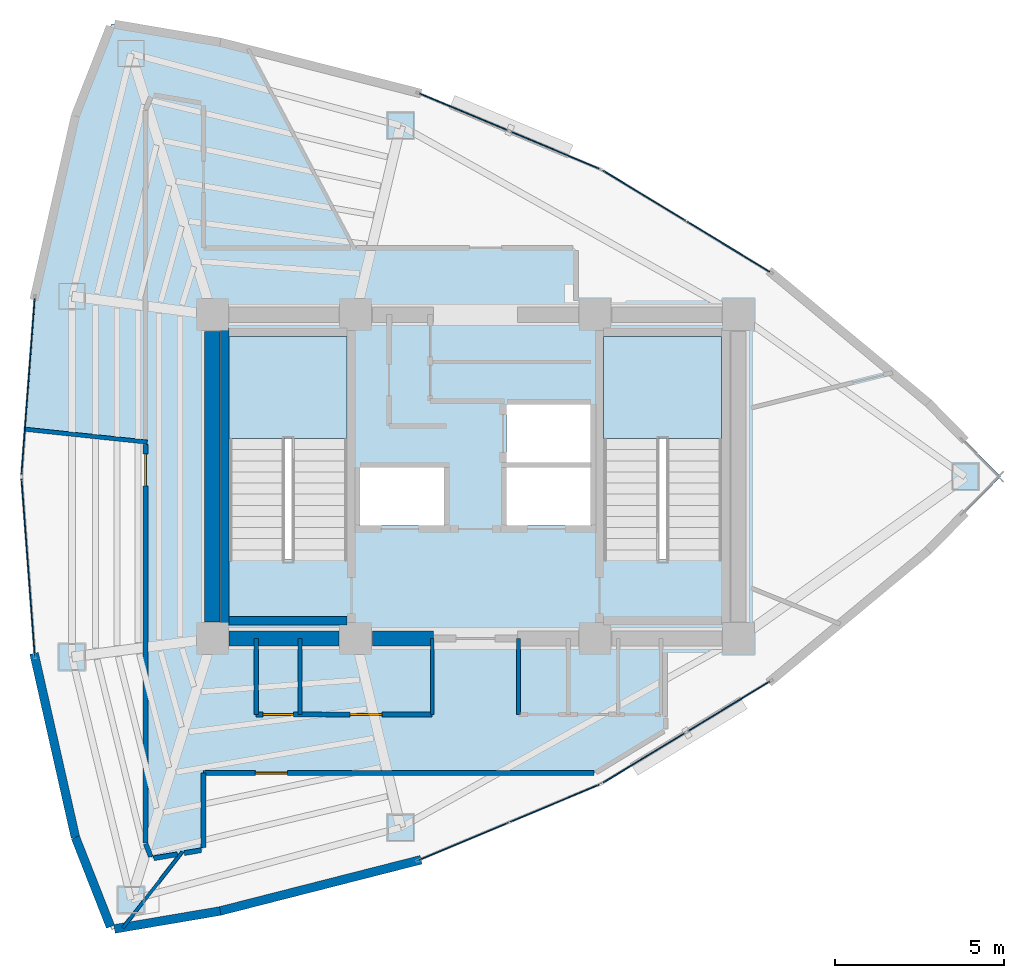
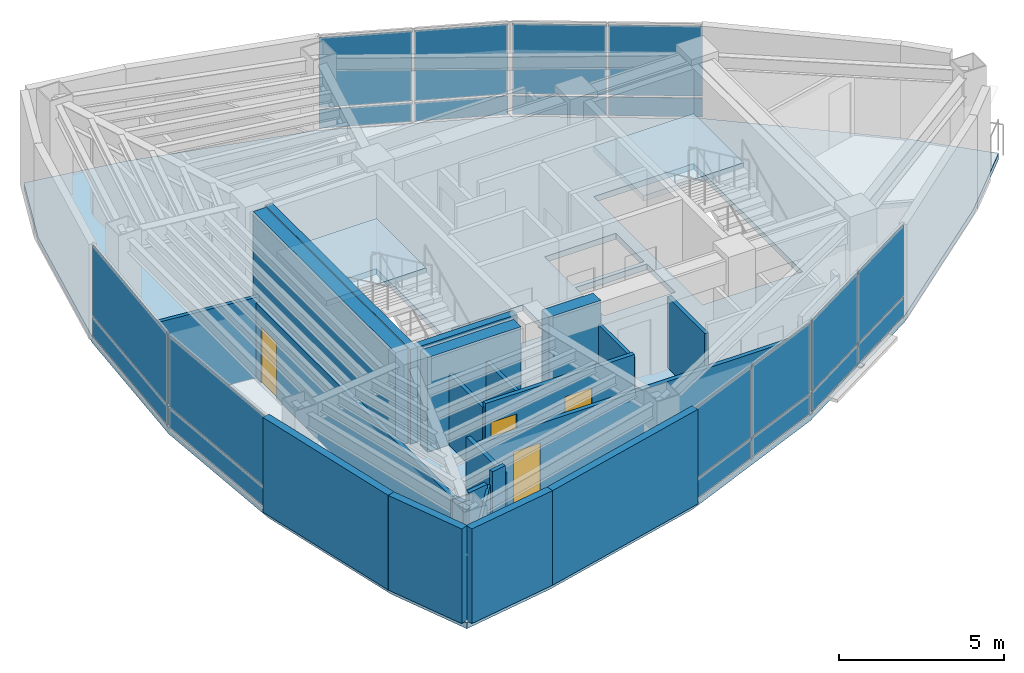
# One storey, part 11 of 15: 22 walls, 20 plates, 4 doors, 3 slabs, 4 openings, 8 elements without a shape of their own.
"""IFC4 building model written with IfcOpenShell, lengths in metres."""

from ifc_helpers import new_model, si_unit, direction, frame, frame_2d, origin, origin_2d, place, context, subcontext, project, spatial, polyline, rectangle, outline, extrude, material, layer, layer_set, type_object, element, fill, aggregate, save


model = new_model("IFC4")

# Units and contexts
model_context = context("Model", 3, precision=1e-05, world=origin(), true_north=direction((0.0, 1.0)))
body_context = subcontext(model_context, "Body", "Model", "MODEL_VIEW")
ifc_project = project(units=[si_unit("LENGTHUNIT", "METRE"), si_unit("AREAUNIT", "SQUARE_METRE"), si_unit("VOLUMEUNIT", "CUBIC_METRE"), si_unit("PLANEANGLEUNIT", "RADIAN"), si_unit("MASSUNIT", "GRAM", prefix="KILO")], contexts=[model_context])

# Site, building, storey
site_placement = place(None, origin())
site = spatial("IfcSite", under=ifc_project, at=site_placement, CompositionType="ELEMENT")
building_placement = place(site_placement, origin())
building = spatial("IfcBuilding", under=site, at=building_placement, Name="Menara Vayukalpa", CompositionType="ELEMENT")
storey_placement = place(building_placement, frame((0.0, 0.0, 250.860107421875)))
storey = spatial("IfcBuildingStorey", under=building, at=storey_placement, Name="L63", CompositionType="ELEMENT", Elevation=250.860107421875)

# Curtain wall, plates
ifc_material_1 = material(Name="Anodised Terracotta Aluminium Alloy 6063-T6", Category="masonry")
ifc_layer_1 = layer(ifc_material_1, 0.1650390625)
ifc_layer_set_1 = layer_set([ifc_layer_1], Name="Anodised Terracotta Aluminium Alloy 6063-T6")
curtain_wall_type = type_object("IfcCurtainWallType", Name="CW-CW6", PredefinedType="USERDEFINED", material=ifc_layer_set_1)
curtain_wall_1_placement = place(storey_placement, origin())
curtain_wall_1 = element("IfcCurtainWall", 1, at=curtain_wall_1_placement, inside=storey, type_object=curtain_wall_type, Name="L63 Observation and Executive Curtain Wall CW6 04", ObjectType="UNITISED", PredefinedType="USERDEFINED")
ifc_material_2 = material(Name="Low-E Double Glazing", Category="glass")
ifc_layer_2 = layer(ifc_material_2, 0.033935546875)
ifc_layer_set_2 = layer_set([ifc_layer_2], Name="Low-E Double Glazing")
plate_type = type_object("IfcPlateType", Name="CWP-CW6", PredefinedType="CURTAIN_PANEL", material=ifc_layer_set_2)
plate_1_placement = place(storey_placement, frame((33.102783203125, 28.814208984375, 0.074951171875), z_axis=(0.0, 0.0, 1.0), x_axis=(-0.854667609532, 0.519175574558, 0.0)))
plate_1 = element("IfcPlate", 2, at=plate_1_placement, type_object=plate_type, Name="CW6 panel 1.1", PredefinedType="CURTAIN_PANEL", context=body_context, shape_type="SweptSolid", body=[
    extrude(rectangle(XDim=2.8486328125, YDim=0.033935546875, at=origin_2d()), origin(), (0.0, 0.0, 1.0), 0.6875),
])
plate_2_placement = place(storey_placement, frame((33.102783203125, 28.814208984375, 0.83740234375), z_axis=(0.0, 0.0, 1.0), x_axis=(-0.854667609532, 0.519175574558, 0.0)))
plate_2 = element("IfcPlate", 3, at=plate_2_placement, type_object=plate_type, Name="CW6 panel 1.2", PredefinedType="CURTAIN_PANEL", context=body_context, shape_type="SweptSolid", body=[
    extrude(rectangle(XDim=2.8486328125, YDim=0.033935546875, at=origin_2d()), origin(), (0.0, 0.0, 1.0), 2.58740234375),
])
plate_3_placement = place(storey_placement, frame((30.608154296875, 30.329345703125, 0.074951171875), z_axis=(0.0, 0.0, 1.0), x_axis=(-0.854667609532, 0.519175574558, 0.0)))
plate_3 = element("IfcPlate", 4, at=plate_3_placement, type_object=plate_type, Name="CW6 panel 2.1", PredefinedType="CURTAIN_PANEL", context=body_context, shape_type="SweptSolid", body=[
    extrude(rectangle(XDim=2.8486328125, YDim=0.033935546875, at=origin_2d()), origin(), (0.0, 0.0, 1.0), 0.6875),
])
plate_4_placement = place(storey_placement, frame((30.608154296875, 30.329345703125, 0.83740234375), z_axis=(0.0, 0.0, 1.0), x_axis=(-0.854667609532, 0.519175574558, 0.0)))
plate_4 = element("IfcPlate", 5, at=plate_4_placement, type_object=plate_type, Name="CW6 panel 2.2", PredefinedType="CURTAIN_PANEL", context=body_context, shape_type="SweptSolid", body=[
    extrude(rectangle(XDim=2.8486328125, YDim=0.033935546875, at=origin_2d()), origin(), (0.0, 0.0, 1.0), 2.58740234375),
])
aggregate(curtain_wall_1, [plate_1, plate_2, plate_3, plate_4])

curtain_wall_2_placement = place(storey_placement, origin())
curtain_wall_2 = element("IfcCurtainWall", 6, at=curtain_wall_2_placement, inside=storey, type_object=curtain_wall_type, Name="L63 Observation and Executive Curtain Wall CW6 05", ObjectType="UNITISED", PredefinedType="USERDEFINED")
plate_5_placement = place(storey_placement, frame((27.952392578125, 31.681884765625, 0.074951171875), z_axis=(0.0, 0.0, 1.0), x_axis=(-0.922540653927, 0.385899911703, 0.0)))
plate_5 = element("IfcPlate", 7, at=plate_5_placement, type_object=plate_type, Name="CW6 panel 1.1", PredefinedType="CURTAIN_PANEL", context=body_context, shape_type="SweptSolid", body=[
    extrude(rectangle(XDim=2.8486328125, YDim=0.033935546875, at=origin_2d()), origin(), (0.0, 0.0, 1.0), 0.6875),
])
plate_6_placement = place(storey_placement, frame((27.952392578125, 31.681884765625, 0.83740234375), z_axis=(0.0, 0.0, 1.0), x_axis=(-0.922540653927, 0.385899911703, 0.0)))
plate_6 = element("IfcPlate", 8, at=plate_6_placement, type_object=plate_type, Name="CW6 panel 1.2", PredefinedType="CURTAIN_PANEL", context=body_context, shape_type="SweptSolid", body=[
    extrude(rectangle(XDim=2.8486328125, YDim=0.033935546875, at=origin_2d()), origin(), (0.0, 0.0, 1.0), 2.58740234375),
])
plate_7_placement = place(storey_placement, frame((25.259765625, 32.808349609375, 0.074951171875), z_axis=(0.0, 0.0, 1.0), x_axis=(-0.922540653927, 0.385899911703, 0.0)))
plate_7 = element("IfcPlate", 9, at=plate_7_placement, type_object=plate_type, Name="CW6 panel 2.1", PredefinedType="CURTAIN_PANEL", context=body_context, shape_type="SweptSolid", body=[
    extrude(rectangle(XDim=2.8486328125, YDim=0.033935546875, at=origin_2d()), origin(), (0.0, 0.0, 1.0), 0.6875),
])
plate_8_placement = place(storey_placement, frame((25.259765625, 32.808349609375, 0.83740234375), z_axis=(0.0, 0.0, 1.0), x_axis=(-0.922540653927, 0.385899911703, 0.0)))
plate_8 = element("IfcPlate", 10, at=plate_8_placement, type_object=plate_type, Name="CW6 panel 2.2", PredefinedType="CURTAIN_PANEL", context=body_context, shape_type="SweptSolid", body=[
    extrude(rectangle(XDim=2.8486328125, YDim=0.033935546875, at=origin_2d()), origin(), (0.0, 0.0, 1.0), 2.58740234375),
])
aggregate(curtain_wall_2, [plate_5, plate_6, plate_7, plate_8])

curtain_wall_3_placement = place(storey_placement, origin())
curtain_wall_3 = element("IfcCurtainWall", 11, at=curtain_wall_3_placement, inside=storey, type_object=curtain_wall_type, Name="L63 Observation and Executive Curtain Wall CW6 10", ObjectType="UNITISED", PredefinedType="USERDEFINED")
plate_9_placement = place(storey_placement, frame((12.33837890625, 24.67333984375, 0.074951171875), z_axis=(0.0, 0.0, 1.0), x_axis=(-0.074789484574, -0.997199344663, 0.0)))
plate_9 = element("IfcPlate", 12, at=plate_9_placement, type_object=plate_type, Name="CW6 panel 1.1", PredefinedType="CURTAIN_PANEL", context=body_context, shape_type="SweptSolid", body=[
    extrude(rectangle(XDim=5.2216796875, YDim=0.033935546875, at=origin_2d()), origin(), (0.0, 0.0, 1.0), 0.6875),
])
plate_10_placement = place(storey_placement, frame((12.33837890625, 24.67333984375, 0.83740234375), z_axis=(0.0, 0.0, 1.0), x_axis=(-0.074789484574, -0.997199344663, 0.0)))
plate_10 = element("IfcPlate", 13, at=plate_10_placement, type_object=plate_type, Name="CW6 panel 1.2", PredefinedType="CURTAIN_PANEL", context=body_context, shape_type="SweptSolid", body=[
    extrude(rectangle(XDim=5.2216796875, YDim=0.033935546875, at=origin_2d()), origin(), (0.0, 0.0, 1.0), 2.58740234375),
])
aggregate(curtain_wall_3, [plate_9, plate_10])

curtain_wall_4_placement = place(storey_placement, origin())
curtain_wall_4 = element("IfcCurtainWall", 14, at=curtain_wall_4_placement, inside=storey, type_object=curtain_wall_type, Name="L63 Observation and Executive Curtain Wall CW6 11", ObjectType="UNITISED", PredefinedType="USERDEFINED")
plate_11_placement = place(storey_placement, frame((12.33837890625, 19.32666015625, 0.074951171875), z_axis=(0.0, 0.0, 1.0), x_axis=(0.074789484574, -0.997199344663, 0.0)))
plate_11 = element("IfcPlate", 15, at=plate_11_placement, type_object=plate_type, Name="CW6 panel 1.1", PredefinedType="CURTAIN_PANEL", context=body_context, shape_type="SweptSolid", body=[
    extrude(rectangle(XDim=5.2216796875, YDim=0.033935546875, at=origin_2d()), origin(), (0.0, 0.0, 1.0), 0.6875),
])
plate_12_placement = place(storey_placement, frame((12.33837890625, 19.32666015625, 0.83740234375), z_axis=(0.0, 0.0, 1.0), x_axis=(0.074789484574, -0.997199344663, 0.0)))
plate_12 = element("IfcPlate", 16, at=plate_12_placement, type_object=plate_type, Name="CW6 panel 1.2", PredefinedType="CURTAIN_PANEL", context=body_context, shape_type="SweptSolid", body=[
    extrude(rectangle(XDim=5.2216796875, YDim=0.033935546875, at=origin_2d()), origin(), (0.0, 0.0, 1.0), 2.58740234375),
])
aggregate(curtain_wall_4, [plate_11, plate_12])

curtain_wall_5_placement = place(storey_placement, origin())
curtain_wall_5 = element("IfcCurtainWall", 17, at=curtain_wall_5_placement, inside=storey, type_object=curtain_wall_type, Name="L63 Observation and Executive Curtain Wall CW6 16", ObjectType="UNITISED", PredefinedType="USERDEFINED")
plate_13_placement = place(storey_placement, frame((25.259765625, 11.191650390625, 0.074951171875), z_axis=(0.0, 0.0, 1.0), x_axis=(0.922540653927, 0.385899911703, 0.0)))
plate_13 = element("IfcPlate", 18, at=plate_13_placement, type_object=plate_type, Name="CW6 panel 1.1", PredefinedType="CURTAIN_PANEL", context=body_context, shape_type="SweptSolid", body=[
    extrude(rectangle(XDim=2.8486328125, YDim=0.033935546875, at=origin_2d()), origin(), (0.0, 0.0, 1.0), 0.6875),
])
plate_14_placement = place(storey_placement, frame((25.259765625, 11.191650390625, 0.83740234375), z_axis=(0.0, 0.0, 1.0), x_axis=(0.922540653927, 0.385899911703, 0.0)))
plate_14 = element("IfcPlate", 19, at=plate_14_placement, type_object=plate_type, Name="CW6 panel 1.2", PredefinedType="CURTAIN_PANEL", context=body_context, shape_type="SweptSolid", body=[
    extrude(rectangle(XDim=2.8486328125, YDim=0.033935546875, at=origin_2d()), origin(), (0.0, 0.0, 1.0), 2.58740234375),
])
plate_15_placement = place(storey_placement, frame((27.952392578125, 12.318115234375, 0.074951171875), z_axis=(0.0, 0.0, 1.0), x_axis=(0.922540653927, 0.385899911703, 0.0)))
plate_15 = element("IfcPlate", 20, at=plate_15_placement, type_object=plate_type, Name="CW6 panel 2.1", PredefinedType="CURTAIN_PANEL", context=body_context, shape_type="SweptSolid", body=[
    extrude(rectangle(XDim=2.8486328125, YDim=0.033935546875, at=origin_2d()), origin(), (0.0, 0.0, 1.0), 0.6875),
])
plate_16_placement = place(storey_placement, frame((27.952392578125, 12.318115234375, 0.83740234375), z_axis=(0.0, 0.0, 1.0), x_axis=(0.922540653927, 0.385899911703, 0.0)))
plate_16 = element("IfcPlate", 21, at=plate_16_placement, type_object=plate_type, Name="CW6 panel 2.2", PredefinedType="CURTAIN_PANEL", context=body_context, shape_type="SweptSolid", body=[
    extrude(rectangle(XDim=2.8486328125, YDim=0.033935546875, at=origin_2d()), origin(), (0.0, 0.0, 1.0), 2.58740234375),
])
aggregate(curtain_wall_5, [plate_13, plate_14, plate_15, plate_16])

curtain_wall_6_placement = place(storey_placement, origin())
curtain_wall_6 = element("IfcCurtainWall", 22, at=curtain_wall_6_placement, inside=storey, type_object=curtain_wall_type, Name="L63 Observation and Executive Curtain Wall CW6 17", ObjectType="UNITISED", PredefinedType="USERDEFINED")
plate_17_placement = place(storey_placement, frame((30.608154296875, 13.670654296875, 0.074951171875), z_axis=(0.0, 0.0, 1.0), x_axis=(0.854667609532, 0.519175574558, 0.0)))
plate_17 = element("IfcPlate", 23, at=plate_17_placement, type_object=plate_type, Name="CW6 panel 1.1", PredefinedType="CURTAIN_PANEL", context=body_context, shape_type="SweptSolid", body=[
    extrude(rectangle(XDim=2.8486328125, YDim=0.033935546875, at=origin_2d()), origin(), (0.0, 0.0, 1.0), 0.6875),
])
plate_18_placement = place(storey_placement, frame((30.608154296875, 13.670654296875, 0.83740234375), z_axis=(0.0, 0.0, 1.0), x_axis=(0.854667609532, 0.519175574558, 0.0)))
plate_18 = element("IfcPlate", 24, at=plate_18_placement, type_object=plate_type, Name="CW6 panel 1.2", PredefinedType="CURTAIN_PANEL", context=body_context, shape_type="SweptSolid", body=[
    extrude(rectangle(XDim=2.8486328125, YDim=0.033935546875, at=origin_2d()), origin(), (0.0, 0.0, 1.0), 2.58740234375),
])
plate_19_placement = place(storey_placement, frame((33.102783203125, 15.185791015625, 0.074951171875), z_axis=(0.0, 0.0, 1.0), x_axis=(0.854667609532, 0.519175574558, 0.0)))
plate_19 = element("IfcPlate", 25, at=plate_19_placement, type_object=plate_type, Name="CW6 panel 2.1", PredefinedType="CURTAIN_PANEL", context=body_context, shape_type="SweptSolid", body=[
    extrude(rectangle(XDim=2.8486328125, YDim=0.033935546875, at=origin_2d()), origin(), (0.0, 0.0, 1.0), 0.6875),
])
plate_20_placement = place(storey_placement, frame((33.102783203125, 15.185791015625, 0.83740234375), z_axis=(0.0, 0.0, 1.0), x_axis=(0.854667609532, 0.519175574558, 0.0)))
plate_20 = element("IfcPlate", 26, at=plate_20_placement, type_object=plate_type, Name="CW6 panel 2.2", PredefinedType="CURTAIN_PANEL", context=body_context, shape_type="SweptSolid", body=[
    extrude(rectangle(XDim=2.8486328125, YDim=0.033935546875, at=origin_2d()), origin(), (0.0, 0.0, 1.0), 2.58740234375),
])
aggregate(curtain_wall_6, [plate_17, plate_18, plate_19, plate_20])

# Slab
ifc_material_3 = material(Name="Concrete C40/50", Category="concrete")
ifc_layer_3 = layer(ifc_material_3, 0.219970703125)
ifc_layer_set_3 = layer_set([ifc_layer_3], Name="Concrete C40/50")
slab_type_1 = type_object("IfcSlabType", Name="SLB-FL220", PredefinedType="FLOOR", material=ifc_layer_set_3)
slab_1_placement = place(storey_placement, frame((0.0, 0.0, -0.22021484375)))
element("IfcSlab", 27, at=slab_1_placement, inside=storey, type_object=slab_type_1, Name="L63 Structural Floor Slab", PredefinedType="FLOOR", context=body_context, shape_type="SweptSolid", body=[
    extrude(outline(polyline([(39.02783203125, 19.816162109375), (41.171875, 22.0), (39.02783203125, 24.183837890625), (34.3798828125, 28.038330078125), (29.3310546875, 31.105224609375), (23.881103515625, 33.385009765625), (18.0302734375, 34.877197265625), (14.814208984375, 35.423095703125), (13.741943359375, 32.693359375), (12.5390625, 27.3466796875), (12.137939453125, 22.0), (12.5390625, 16.6533203125), (13.741943359375, 11.306640625), (14.814208984375, 8.576904296875), (18.0302734375, 9.122802734375), (23.881103515625, 10.614990234375), (29.3310546875, 12.894775390625), (34.3798828125, 15.961669921875), (39.02783203125, 19.816162109375)]), holes=[polyline([(21.800048828125, 19.550048828125), (21.800048828125, 26.14990234375), (18.300048828125, 26.14990234375), (18.300048828125, 19.550048828125), (21.800048828125, 19.550048828125)]), polyline([(32.89990234375, 19.550048828125), (32.89990234375, 26.14990234375), (29.39990234375, 26.14990234375), (29.39990234375, 19.550048828125), (32.89990234375, 19.550048828125)]), polyline([(22.179931640625, 20.550048828125), (24.679931640625, 20.550048828125), (24.679931640625, 22.27001953125), (22.179931640625, 22.27001953125), (22.179931640625, 20.550048828125)]), polyline([(26.52001953125, 20.550048828125), (29.02001953125, 20.550048828125), (29.02001953125, 22.27001953125), (26.52001953125, 22.27001953125), (26.52001953125, 20.550048828125)]), polyline([(26.52001953125, 22.419921875), (29.02001953125, 22.419921875), (29.02001953125, 24.139892578125), (26.52001953125, 24.139892578125), (26.52001953125, 22.419921875)])]), origin(), (0.0, 0.0, 1.0), 0.22021484375),
])

# Stair, slab
ifc_material_4 = material(Name="Precast Concrete C40/50", Category="concrete")
stair_type = type_object("IfcStairType", Name="STR-T04", PredefinedType="DOUBLE_RETURN_STAIR", material=ifc_material_4)
stair_1_placement = place(storey_placement, origin())
stair_1 = element("IfcStair", 28, at=stair_1_placement, inside=storey, type_object=stair_type, Name="L63 Core Exit Stair ST-1", PredefinedType="DOUBLE_RETURN_STAIR")
ifc_material_5 = material(Name="Precast Concrete C40/50", Category="concrete")
ifc_layer_4 = layer(ifc_material_5, 0.199951171875)
ifc_layer_set_4 = layer_set([ifc_layer_4], Name="Precast Concrete C40/50")
slab_type_2 = type_object("IfcSlabType", Name="SLB-LND200", PredefinedType="LANDING", material=ifc_layer_set_4)
slab_2_placement = place(storey_placement, frame((0.0, 0.0, 1.659912109375)))
slab_2 = element("IfcSlab", 29, at=slab_2_placement, type_object=slab_type_2, Name="ST-1 landing 1", PredefinedType="LANDING", context=body_context, shape_type="SweptSolid", body=[
    extrude(outline(polyline([(21.800048828125, 23.1298828125), (21.800048828125, 26.14990234375), (18.300048828125, 26.14990234375), (18.300048828125, 23.1298828125), (21.800048828125, 23.1298828125)])), origin(), (0.0, 0.0, 1.0), 0.199951171875),
])
aggregate(stair_1, [slab_2])

stair_2_placement = place(storey_placement, origin())
stair_2 = element("IfcStair", 30, at=stair_2_placement, inside=storey, type_object=stair_type, Name="L63 Core Exit Stair ST-2", PredefinedType="DOUBLE_RETURN_STAIR")
slab_3_placement = place(storey_placement, frame((0.0, 0.0, 1.659912109375)))
slab_3 = element("IfcSlab", 31, at=slab_3_placement, type_object=slab_type_2, Name="ST-2 landing 1", PredefinedType="LANDING", context=body_context, shape_type="SweptSolid", body=[
    extrude(outline(polyline([(32.89990234375, 23.1298828125), (32.89990234375, 26.14990234375), (29.39990234375, 26.14990234375), (29.39990234375, 23.1298828125), (32.89990234375, 23.1298828125)])), origin(), (0.0, 0.0, 1.0), 0.199951171875),
])
aggregate(stair_2, [slab_3])

# Walls
ifc_material_6 = material(Name="Concrete C50/60", Category="concrete")
ifc_layer_5 = layer(ifc_material_6, 0.449951171875)
ifc_layer_set_5 = layer_set([ifc_layer_5], Name="Concrete C50/60")
wall_type_1 = type_object("IfcWallType", Name="WAL-CW450", PredefinedType="SHEAR", material=ifc_layer_set_5)
wall_1_placement = place(storey_placement, frame((18.294921875, 17.199951171875, 0.0), z_axis=(0.0, 0.0, 1.0), x_axis=(1.0, 0.0, 0.0)))
element("IfcWall", 32, at=wall_1_placement, inside=storey, type_object=wall_type_1, Name="L63 Buttressed Core Shear Wall CWS1", PredefinedType="SHEAR", context=body_context, shape_type="SweptSolid", body=[
    extrude(rectangle(XDim=3.260009765625, YDim=0.449951171875, at=frame_2d((1.6298828125, 0.0))), origin(), (0.0, 0.0, 1.0), 3.5),
])
wall_2_placement = place(storey_placement, frame((22.544921875, 17.199951171875, 0.0), z_axis=(0.0, 0.0, 1.0), x_axis=(1.0, 0.0, 0.0)))
element("IfcWall", 33, at=wall_2_placement, inside=storey, type_object=wall_type_1, Name="L63 Buttressed Core Shear Wall CWS2", PredefinedType="SHEAR", context=body_context, shape_type="SweptSolid", body=[
    extrude(rectangle(XDim=1.80517578125, YDim=0.449951171875, at=frame_2d((0.902587890625, 0.0))), origin(), (0.0, 0.0, 1.0), 3.5),
])
wall_3_placement = place(storey_placement, frame((17.800048828125, 17.695068359375, 0.0), z_axis=(0.0, 0.0, 1.0), x_axis=(0.0, 1.0, 0.0)))
element("IfcWall", 34, at=wall_3_placement, inside=storey, type_object=wall_type_1, Name="L63 Buttressed Core Shear Wall CWW1", PredefinedType="SHEAR", context=body_context, shape_type="SweptSolid", body=[
    extrude(rectangle(XDim=8.60986328125, YDim=0.449951171875, at=frame_2d((4.304931640625, 0.0))), origin(), (0.0, 0.0, 1.0), 3.5),
])
ifc_material_7 = material(Name="Insulated Precast Concrete C40/50", Category="concrete")
ifc_layer_6 = layer(ifc_material_7, 0.260009765625)
ifc_layer_set_6 = layer_set([ifc_layer_6], Name="Insulated Precast Concrete C40/50")
wall_type_2 = type_object("IfcWallType", Name="WAL-EXT260", PredefinedType="PARTITIONING", material=ifc_layer_set_6)
wall_4_placement = place(storey_placement, frame((13.741943359375, 11.306640625, 0.0), z_axis=(0.0, 0.0, 1.0), x_axis=(-0.219500763731, 0.97561232809, 0.0)))
element("IfcWall", 35, at=wall_4_placement, inside=storey, type_object=wall_type_2, Name="L63 Perimeter Terracotta Pier Wall 12", PredefinedType="PARTITIONING", context=body_context, shape_type="SweptSolid", body=[
    extrude(rectangle(XDim=5.590087890625, YDim=0.260009765625, at=frame_2d((2.794921875, 0.0))), origin(), (0.0, 0.0, 1.0), 3.5),
])
wall_5_placement = place(storey_placement, frame((14.7822265625, 8.658203125, 0.0), z_axis=(0.0, 0.0, 1.0), x_axis=(-0.36559927932, 0.930772349697, 0.0)))
element("IfcWall", 36, at=wall_5_placement, inside=storey, type_object=wall_type_2, Name="L63 Perimeter Terracotta Pier Wall 13", PredefinedType="PARTITIONING", context=body_context, shape_type="SweptSolid", body=[
    extrude(rectangle(XDim=2.845458984375, YDim=0.260009765625, at=frame_2d((1.4228515625, 0.0))), origin(), (0.0, 0.0, 1.0), 3.5),
])
wall_6_placement = place(storey_placement, frame((18.0361328125, 9.123779296875, 0.0), z_axis=(0.0, 0.0, 1.0), x_axis=(-0.985889432766, -0.167397808709, 0.0)))
element("IfcWall", 37, at=wall_6_placement, inside=storey, type_object=wall_type_2, Name="L63 Perimeter Terracotta Pier Wall 14", PredefinedType="PARTITIONING", context=body_context, shape_type="SweptSolid", body=[
    extrude(rectangle(XDim=3.180908203125, YDim=0.260009765625, at=frame_2d((1.59033203125, 0.0))), origin(), (0.0, 0.0, 1.0), 3.5),
])
wall_7_placement = place(storey_placement, frame((23.98779296875, 10.64208984375, 0.0), z_axis=(0.0, 0.0, 1.0), x_axis=(-0.968988278672, -0.247106689096, 0.0)))
element("IfcWall", 38, at=wall_7_placement, inside=storey, type_object=wall_type_2, Name="L63 Perimeter Terracotta Pier Wall 15", PredefinedType="PARTITIONING", context=body_context, shape_type="SweptSolid", body=[
    extrude(rectangle(XDim=6.154296875, YDim=0.260009765625, at=frame_2d((3.0771484375, 0.0))), origin(), (0.0, 0.0, 1.0), 3.5),
])
ifc_material_8 = material(Name="Glazed Demountable Office Partition", Category="glass")
ifc_layer_7 = layer(ifc_material_8, 0.094970703125)
ifc_layer_set_7 = layer_set([ifc_layer_7], Name="Glazed Demountable Office Partition")
wall_type_3 = type_object("IfcWallType", Name="WAL-PT100", PredefinedType="PARTITIONING", material=ifc_layer_set_7)
wall_8_placement = place(storey_placement, frame((16.91259765625, 10.880615234375, 0.0), z_axis=(0.0, 0.0, 1.0), x_axis=(-0.615662236592, -0.788010158839, 0.0)))
element("IfcWall", 39, at=wall_8_placement, inside=storey, type_object=wall_type_3, Name="L63 Interior Partition IW-L63-RDIV04", PredefinedType="PARTITIONING", context=body_context, shape_type="SweptSolid", body=[
    extrude(rectangle(XDim=2.8642578125, YDim=0.094970703125, at=frame_2d((1.43212890625, 0.0))), origin(), (0.0, 0.0, 1.0), 2.97998046875),
])
ifc_material_9 = material(Name="Acoustic Mineral Stud Partition", Category="masonry")
ifc_layer_8 = layer(ifc_material_9, 0.110107421875)
ifc_layer_set_8 = layer_set([ifc_layer_8], Name="Acoustic Mineral Stud Partition")
wall_type_4 = type_object("IfcWallType", Name="WAL-PT110", PredefinedType="PARTITIONING", material=ifc_layer_set_8)
wall_9_placement = place(storey_placement, frame((24.320068359375, 14.949951171875, 0.0), z_axis=(0.0, 0.0, 1.0), x_axis=(0.0, 1.0, 0.0)))
element("IfcWall", 40, at=wall_9_placement, inside=storey, type_object=wall_type_4, Name="L63 Interior Partition IW-L63-SVCD-03", PredefinedType="PARTITIONING", context=body_context, shape_type="SweptSolid", body=[
    extrude(rectangle(XDim=2.25, YDim=0.110107421875, at=frame_2d((1.125, 0.0))), origin(), (0.0, 0.0, 1.0), 2.6298828125),
])
ifc_material_10 = material(Name="Gypsum Drywall Steel Stud Assembly", Category="steel")
ifc_layer_9 = layer(ifc_material_10, 0.125)
ifc_layer_set_9 = layer_set([ifc_layer_9], Name="Gypsum Drywall Steel Stud Assembly")
wall_type_5 = type_object("IfcWallType", Name="WAL-PT125", PredefinedType="PARTITIONING", material=ifc_layer_set_9)
for number, where, z_axis, x_axis, name in (
    (41, (19.10009765625, 14.949951171875, 0.0), (0.0, 0.0, 1.0), (0.0, 1.0, 0.0), "L63 Interior Partition IW-L63-SVCD-01"),
    (42, (20.39990234375, 14.949951171875, 0.0), (0.0, 0.0, 1.0), (0.0, 1.0, 0.0), "L63 Interior Partition IW-L63-SVCD-02"),
    (43, (26.8798828125, 14.949951171875, 0.0), (0.0, 0.0, 1.0), (0.0, 1.0, 0.0), "L63 Interior Partition IW-L63-SVCD-04"),
):
    element("IfcWall", number, at=place(storey_placement, frame(where, z_axis=z_axis, x_axis=x_axis)), inside=storey, type_object=wall_type_5, Name=name, PredefinedType="PARTITIONING", context=body_context, shape_type="SweptSolid", body=[
        extrude(rectangle(XDim=2.25, YDim=0.125, at=frame_2d((1.125, 0.0))), origin(), (0.0, 0.0, 1.0), 2.6298828125),
    ])
wall_10_placement = place(storey_placement, frame((15.8701171875, 23.022705078125, 0.0), z_axis=(0.0, 0.0, 1.0), x_axis=(-0.994526285713, 0.104486683482, 0.0)))
element("IfcWall", 44, at=wall_10_placement, inside=storey, type_object=wall_type_5, Name="L63 Interior Partition IW-L63-RDIV03", PredefinedType="PARTITIONING", context=body_context, shape_type="SweptSolid", body=[
    extrude(rectangle(XDim=3.65673828125, YDim=0.125, at=frame_2d((1.828369140625, 0.0))), origin(), (0.0, 0.0, 1.0), 2.97998046875),
])

# Wall, openings, doors
ifc_material_11 = material(Name="Gypsum Drywall Acoustic Stud Assembly", Category="masonry")
ifc_layer_10 = layer(ifc_material_11, 0.14501953125)
ifc_layer_set_10 = layer_set([ifc_layer_10], Name="Gypsum Drywall Acoustic Stud Assembly")
wall_type_6 = type_object("IfcWallType", Name="WAL-PT150", PredefinedType="PARTITIONING", material=ifc_layer_set_10)
wall_11_placement = place(storey_placement, frame((19.10009765625, 14.949951171875, 0.0), z_axis=(0.0, 0.0, 1.0), x_axis=(1.0, 0.0, 0.0)))
wall_11 = element("IfcWall", 45, at=wall_11_placement, inside=storey, type_object=wall_type_6, Name="L63 Interior Partition IW-L63-SVCS-W", PredefinedType="PARTITIONING", context=body_context, shape_type="SweptSolid", body=[
    extrude(rectangle(XDim=5.219970703125, YDim=0.14501953125, at=frame_2d((2.60986328125, 0.0))), origin(), (0.0, 0.0, 1.0), 2.77978515625),
])
opening_1_placement = place(wall_11_placement, frame((0.199951171875, 0.0, 0.0)))
opening_1 = element("IfcOpeningElement", 46, at=opening_1_placement, cuts=wall_11, Name="Opening ID7", PredefinedType="OPENING", context=body_context, shape_type="SweptSolid", body=[
    extrude(rectangle(XDim=0.89990234375, YDim=2.02001953125, at=frame_2d((0.449951171875, 1.010009765625))), frame((0.0, 0.08251953125, 0.0), z_axis=(0.0, -1.0, 0.0), x_axis=(1.0, 0.0, 0.0)), (0.0, 0.0, 1.0), 0.1650390625),
])
opening_2_placement = place(wall_11_placement, frame((2.784912109375, 0.0, 0.0)))
opening_2 = element("IfcOpeningElement", 47, at=opening_2_placement, cuts=wall_11, Name="Opening ID5", PredefinedType="OPENING", context=body_context, shape_type="SweptSolid", body=[
    extrude(rectangle(XDim=0.949951171875, YDim=2.06005859375, at=frame_2d((0.47509765625, 1.030029296875))), frame((0.0, 0.08251953125, 0.0), z_axis=(0.0, -1.0, 0.0), x_axis=(1.0, 0.0, 0.0)), (0.0, 0.0, 1.0), 0.1650390625),
])
ifc_material_12 = material(Name="Acoustic Hardwood Veneer Timber Door", Category="wood")
door_type_1 = type_object("IfcDoorType", Name="DR-INT95", OperationType="NOTDEFINED", PredefinedType="DOOR", material=ifc_material_12)
door_1_placement = place(opening_2_placement, origin())
door_1 = element("IfcDoor", 48, at=door_1_placement, inside=storey, type_object=door_type_1, Name="L63 Interior Door DR-L63-AWC", OperationType="SINGLE_SWING_RIGHT", OverallHeight=2.06005859375, OverallWidth=0.949951171875, PredefinedType="DOOR", context=body_context, shape_type="SweptSolid", body=[
    extrude(rectangle(XDim=0.949951171875, YDim=2.06005859375, at=frame_2d((0.47509765625, 1.030029296875))), frame((0.0, 0.02490234375, 0.0), z_axis=(0.0, -1.0, 0.0), x_axis=(1.0, 0.0, 0.0)), (0.0, 0.0, 1.0), 0.050048828125),
])
fill(opening_2, door_1)
ifc_material_13 = material(Name="Powder-Coated Steel Riser Access Door", Category="steel")
door_type_2 = type_object("IfcDoorType", Name="DR-RISER", OperationType="NOTDEFINED", PredefinedType="DOOR", material=ifc_material_13)
door_2_placement = place(opening_1_placement, origin())
door_2 = element("IfcDoor", 49, at=door_2_placement, inside=storey, type_object=door_type_2, Name="L63 Interior Door DR-L63-ELR", OperationType="SINGLE_SWING_LEFT", OverallHeight=2.02001953125, OverallWidth=0.89990234375, PredefinedType="DOOR", context=body_context, shape_type="SweptSolid", body=[
    extrude(rectangle(XDim=0.89990234375, YDim=2.02001953125, at=frame_2d((0.449951171875, 1.010009765625))), frame((0.0, 0.02490234375, 0.0), z_axis=(0.0, -1.0, 0.0), x_axis=(1.0, 0.0, 0.0)), (0.0, 0.0, 1.0), 0.050048828125),
])
fill(opening_1, door_2)

# Wall, opening, door
wall_12_placement = place(storey_placement, frame((15.820068359375, 22.95751953125, 0.0), z_axis=(0.0, 0.0, 1.0), x_axis=(0.0, -1.0, 0.0)))
wall_12 = element("IfcWall", 50, at=wall_12_placement, inside=storey, type_object=wall_type_6, Name="L63 Interior Partition IW-L63-CRM01-1", PredefinedType="PARTITIONING", context=body_context, shape_type="SweptSolid", body=[
    extrude(rectangle(XDim=11.811279296875, YDim=0.14501953125, at=frame_2d((5.90576171875, 0.0))), origin(), (0.0, 0.0, 1.0), 2.77978515625),
])
opening_3_placement = place(wall_12_placement, frame((0.280029296875, 0.0, 0.0)))
opening_3 = element("IfcOpeningElement", 51, at=opening_3_placement, cuts=wall_12, Name="Opening ID5", PredefinedType="OPENING", context=body_context, shape_type="SweptSolid", body=[
    extrude(rectangle(XDim=0.949951171875, YDim=2.06005859375, at=frame_2d((0.47509765625, 1.030029296875))), frame((0.0, 0.08251953125, 0.0), z_axis=(0.0, -1.0, 0.0), x_axis=(1.0, 0.0, 0.0)), (0.0, 0.0, 1.0), 0.1650390625),
])
door_3_placement = place(opening_3_placement, origin())
door_3 = element("IfcDoor", 52, at=door_3_placement, inside=storey, type_object=door_type_1, Name="L63 Interior Door DR-L63-RM01", OperationType="SINGLE_SWING_RIGHT", OverallHeight=2.06005859375, OverallWidth=0.949951171875, PredefinedType="DOOR", context=body_context, shape_type="SweptSolid", body=[
    extrude(rectangle(XDim=0.949951171875, YDim=2.06005859375, at=frame_2d((0.47509765625, 1.030029296875))), frame((0.0, 0.02490234375, 0.0), z_axis=(0.0, -1.0, 0.0), x_axis=(1.0, 0.0, 0.0)), (0.0, 0.0, 1.0), 0.050048828125),
])
fill(opening_3, door_3)

# Walls
wall_13_placement = place(storey_placement, frame((15.825439453125, 11.116943359375, 0.0), z_axis=(0.0, 0.0, 1.0), x_axis=(0.365633948196, -0.930758731319, 0.0)))
element("IfcWall", 53, at=wall_13_placement, inside=storey, type_object=wall_type_6, Name="L63 Interior Partition IW-L63-CRM01-2", PredefinedType="PARTITIONING", context=body_context, shape_type="SweptSolid", body=[
    extrude(rectangle(XDim=0.409912109375, YDim=0.14501953125, at=frame_2d((0.205078125, 0.0))), origin(), (0.0, 0.0, 1.0), 2.77978515625),
])
wall_14_placement = place(storey_placement, frame((16.063232421875, 10.685546875, 0.0), z_axis=(0.0, 0.0, 1.0), x_axis=(0.985869455419, 0.167515422787, 0.0)))
element("IfcWall", 54, at=wall_14_placement, inside=storey, type_object=wall_type_6, Name="L63 Interior Partition IW-L63-CRM01-3", PredefinedType="PARTITIONING", context=body_context, shape_type="SweptSolid", body=[
    extrude(rectangle(XDim=0.711181640625, YDim=0.14501953125, at=frame_2d((0.35546875, 0.0))), origin(), (0.0, 0.0, 1.0), 3.1298828125),
])
wall_15_placement = place(storey_placement, frame((16.968994140625, 10.83935546875, 0.0), z_axis=(0.0, 0.0, 1.0), x_axis=(0.985873186984, 0.167493460131, 0.0)))
element("IfcWall", 55, at=wall_15_placement, inside=storey, type_object=wall_type_6, Name="L63 Interior Partition IW-L63-CRM03-1", PredefinedType="PARTITIONING", context=body_context, shape_type="SweptSolid", body=[
    extrude(rectangle(XDim=0.51171875, YDim=0.14501953125, at=frame_2d((0.255859375, 0.0))), origin(), (0.0, 0.0, 1.0), 3.5),
])
wall_16_placement = place(storey_placement, frame((17.5400390625, 11.00390625, 0.0), z_axis=(0.0, 0.0, 1.0), x_axis=(0.0, 1.0, 0.0)))
element("IfcWall", 56, at=wall_16_placement, inside=storey, type_object=wall_type_6, Name="L63 Interior Partition IW-L63-CRM03-2", PredefinedType="PARTITIONING", context=body_context, shape_type="SweptSolid", body=[
    extrude(rectangle(XDim=2.2060546875, YDim=0.14501953125, at=frame_2d((1.10302734375, 0.0))), origin(), (0.0, 0.0, 1.0), 3.1298828125),
])

# Wall, opening, door
wall_17_placement = place(storey_placement, frame((17.5400390625, 13.2099609375, 0.0), z_axis=(0.0, 0.0, 1.0), x_axis=(1.0, 0.0, 0.0)))
wall_17 = element("IfcWall", 57, at=wall_17_placement, inside=storey, type_object=wall_type_6, Name="L63 Interior Partition IW-L63-CRM03-3", PredefinedType="PARTITIONING", context=body_context, shape_type="SweptSolid", body=[
    extrude(rectangle(XDim=11.56982421875, YDim=0.14501953125, at=frame_2d((5.784912109375, 0.0))), origin(), (0.0, 0.0, 1.0), 2.77978515625),
])
opening_4_placement = place(wall_17_placement, frame((1.53759765625, 0.0, 0.0)))
opening_4 = element("IfcOpeningElement", 58, at=opening_4_placement, cuts=wall_17, Name="Opening ID5", PredefinedType="OPENING", context=body_context, shape_type="SweptSolid", body=[
    extrude(rectangle(XDim=0.949951171875, YDim=2.06005859375, at=frame_2d((0.47509765625, 1.030029296875))), frame((0.0, 0.08251953125, 0.0), z_axis=(0.0, -1.0, 0.0), x_axis=(1.0, 0.0, 0.0)), (0.0, 0.0, 1.0), 0.1650390625),
])
door_4_placement = place(opening_4_placement, origin())
door_4 = element("IfcDoor", 59, at=door_4_placement, inside=storey, type_object=door_type_1, Name="L63 Interior Door DR-L63-RM03", OperationType="SINGLE_SWING_LEFT", OverallHeight=2.06005859375, OverallWidth=0.949951171875, PredefinedType="DOOR", context=body_context, shape_type="SweptSolid", body=[
    extrude(rectangle(XDim=0.949951171875, YDim=2.06005859375, at=frame_2d((0.47509765625, 1.030029296875))), frame((0.0, 0.02490234375, 0.0), z_axis=(0.0, -1.0, 0.0), x_axis=(1.0, 0.0, 0.0)), (0.0, 0.0, 1.0), 0.050048828125),
])
fill(opening_4, door_4)

# Walls
ifc_material_14 = material(Name="Concrete C50/60", Category="concrete")
ifc_layer_11 = layer(ifc_material_14, 0.25)
ifc_layer_set_11 = layer_set([ifc_layer_11], Name="Concrete C50/60")
wall_type_7 = type_object("IfcWallType", Name="WAL-SW250", PredefinedType="SHEAR", material=ifc_layer_set_11)
wall_18_placement = place(storey_placement, frame((18.175048828125, 17.60009765625, 0.0), z_axis=(0.0, 0.0, 1.0), x_axis=(0.0, 1.0, 0.0)))
element("IfcWall", 60, at=wall_18_placement, inside=storey, type_object=wall_type_7, Name="L63 ST1 Structural Stair Shaft Wall W", PredefinedType="SHEAR", context=body_context, shape_type="SweptSolid", body=[
    extrude(rectangle(XDim=8.7998046875, YDim=0.25, at=frame_2d((4.39990234375, 0.0))), origin(), (0.0, 0.0, 1.0), 3.5),
])
wall_19_placement = place(storey_placement, frame((18.300048828125, 17.72509765625, 0.0), z_axis=(0.0, 0.0, 1.0), x_axis=(1.0, 0.0, 0.0)))
element("IfcWall", 61, at=wall_19_placement, inside=storey, type_object=wall_type_7, Name="L63 ST1 Structural Stair Shaft Wall S", PredefinedType="SHEAR", context=body_context, shape_type="SweptSolid", body=[
    extrude(rectangle(XDim=3.5, YDim=0.25, at=frame_2d((1.75, 0.0))), origin(), (0.0, 0.0, 1.0), 3.5),
])

save(model, "model.ifc")
